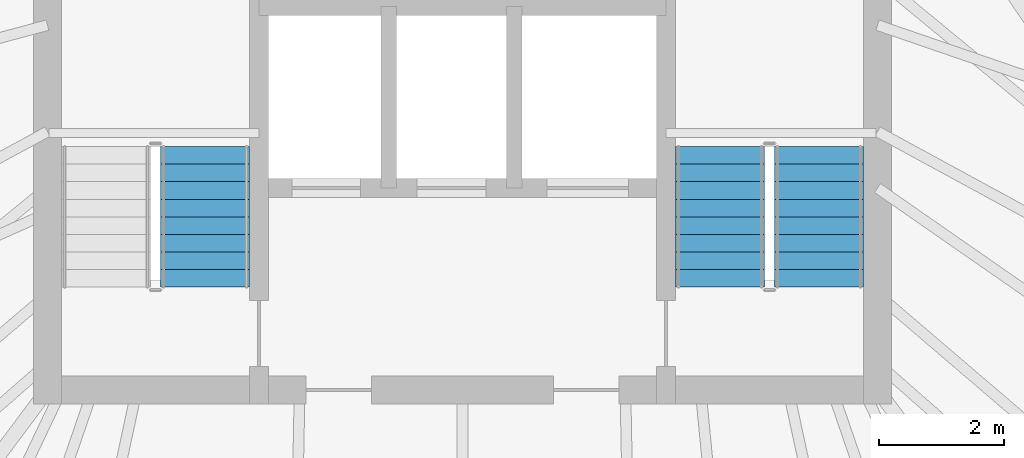
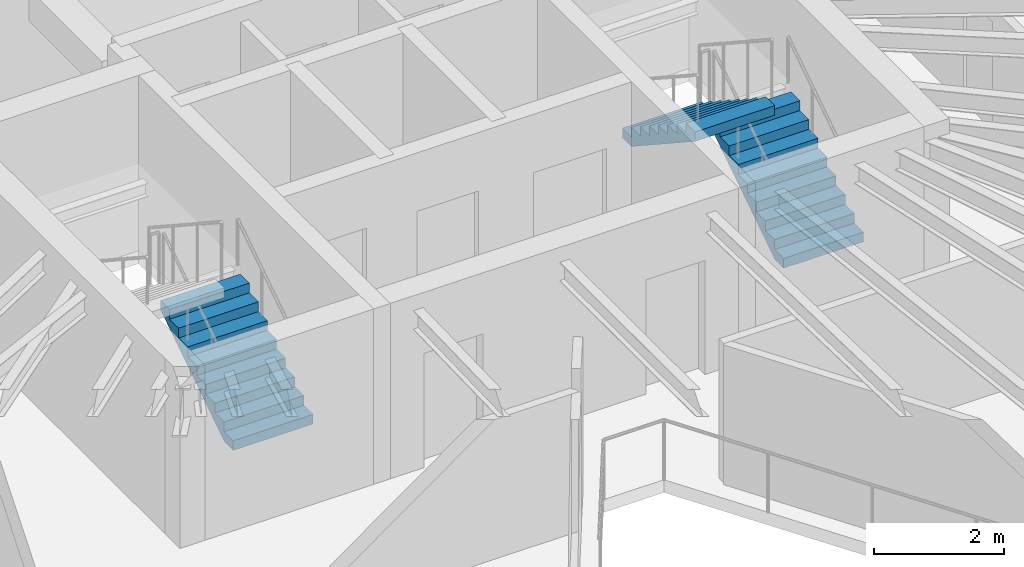
# One storey, part 30 of 33: 3 stair flights, 2 elements without a shape of their own.
"""IFC4 building model written with IfcOpenShell, lengths in metres."""

import ifcopenshell
import ifcopenshell.guid

model = None  # the IFC model being written
_history = None  # IfcOwnerHistory: only IFC2X3 demands one
_inside = {}  # id of a spatial element -> (the spatial element, [elements in it])
_under = {}  # id of a project, library or spatial element -> (it, [spatial elements below it])
_declared = {}  # id of a project -> (the project, [libraries it declares])
_typed = {}  # id of a type object -> (the type object, [elements of that type])
_made_of = {}  # id of a material, layer set ... -> (it, [elements and type objects made of it])


def new_model(schema):
    """Start an empty IFC model of exactly this schema.

    Asked for "IFC4X3", IfcOpenShell would pick the latest addendum, in which some entities
    have other attributes; the version numbers below select the first issue.
    IFC2X3 requires an IfcOwnerHistory on every rooted entity: one is made here for all.
    """
    global model, _history
    if schema == "IFC4X3":
        model = ifcopenshell.file(schema_version=(4, 3, 0, 0))
    else:
        model = ifcopenshell.file(schema=schema)
    _inside.clear()
    _under.clear()
    _declared.clear()
    _typed.clear()
    _made_of.clear()
    _history = None
    if model.schema == "IFC2X3":
        org = make("IfcOrganization", Name="unknown")
        user = make(
            "IfcPersonAndOrganization",
            ThePerson=make("IfcPerson", FamilyName="unknown"),
            TheOrganization=org,
        )
        app = make(
            "IfcApplication",
            ApplicationDeveloper=org,
            Version="unknown",
            ApplicationFullName="unknown",
            ApplicationIdentifier="unknown",
        )
        _history = make(
            "IfcOwnerHistory",
            OwningUser=user,
            OwningApplication=app,
            ChangeAction="ADDED",
            CreationDate=0,
        )
    return model


def make(cls, **values):
    """One entity of the class cls with the attributes given. An attribute that is None is left unset."""
    return model.create_entity(
        cls, **{name: value for name, value in values.items() if value is not None}
    )


def rooted(cls, **values):
    """An entity with a GlobalId (a new one), such as an element, a storey or a relation."""
    return make(cls, GlobalId=ifcopenshell.guid.new(), OwnerHistory=_history, **values)


def si_unit(unit_type, name, prefix=None):
    """IfcSIUnit, for example si_unit("LENGTHUNIT", "METRE", prefix="MILLI")."""
    return make("IfcSIUnit", UnitType=unit_type, Prefix=prefix, Name=name)


def assignment(units):
    """IfcUnitAssignment: the units of a project."""
    return None if units is None else make("IfcUnitAssignment", Units=units)


def point(xyz):
    """IfcCartesianPoint."""
    return None if xyz is None else make("IfcCartesianPoint", Coordinates=xyz)


def direction(xyz):
    """IfcDirection."""
    return None if xyz is None else make("IfcDirection", DirectionRatios=xyz)


def frame(location, z_axis=None, x_axis=None):
    """IfcAxis2Placement3D, a coordinate frame: its origin and axes. An axis left out is left unset."""
    return make(
        "IfcAxis2Placement3D",
        Location=point(location),
        Axis=direction(z_axis),
        RefDirection=direction(x_axis),
    )


def origin():
    """The frame at (0, 0, 0) with its axes left unset."""
    return frame((0.0, 0.0, 0.0))


def place(relative_to, where):
    """IfcLocalPlacement: puts the frame where relative to a parent placement (None: the world)."""
    return make(
        "IfcLocalPlacement", PlacementRelTo=relative_to, RelativePlacement=where
    )


def context(
    kind, dimensions, precision=None, world=None, true_north=None, identifier=None
):
    """IfcGeometricRepresentationContext, for example the 3D "Model" context."""
    return make(
        "IfcGeometricRepresentationContext",
        ContextIdentifier=identifier,
        ContextType=kind,
        CoordinateSpaceDimension=dimensions,
        Precision=precision,
        WorldCoordinateSystem=world,
        TrueNorth=true_north,
    )


def subcontext(parent, identifier, kind, view, scale=None):
    """IfcGeometricRepresentationSubContext, for example "Body" below "Model"."""
    return make(
        "IfcGeometricRepresentationSubContext",
        ContextIdentifier=identifier,
        ContextType=kind,
        ParentContext=parent,
        TargetScale=scale,
        TargetView=view,
    )


def project(units=None, contexts=None):
    """IfcProject with its units and contexts."""
    return rooted(
        "IfcProject",
        Name="project",
        RepresentationContexts=contexts,
        UnitsInContext=assignment(units),
    )


def spatial(cls, under=None, at=None, **own):
    """A site, building, storey or space (cls), placed at a placement, below another one or the project."""
    s = rooted(cls, ObjectPlacement=at, **own)
    if under is not None:
        _under.setdefault(under.id(), (under, []))[1].append(s)
    return s


def polyline(points):
    """IfcPolyline through the points."""
    return make("IfcPolyline", Points=[point(p) for p in points])


def outline(outer, holes=None, kind="AREA"):
    """IfcArbitraryClosedProfileDef: a profile drawn as a closed curve; with holes, ...WithVoids."""
    if holes is None:
        return make("IfcArbitraryClosedProfileDef", ProfileType=kind, OuterCurve=outer)
    return make(
        "IfcArbitraryProfileDefWithVoids",
        ProfileType=kind,
        OuterCurve=outer,
        InnerCurves=holes,
    )


def extrude(swept, where, along, depth):
    """IfcExtrudedAreaSolid: the profile swept, set in the frame where, extruded along a direction by depth."""
    return make(
        "IfcExtrudedAreaSolid",
        SweptArea=swept,
        Position=where,
        ExtrudedDirection=direction(along),
        Depth=depth,
    )


def shape(context_of_items, identifier, shape_type, items):
    """IfcShapeRepresentation: the items that make up one representation, for example the "Body"."""
    return make(
        "IfcShapeRepresentation",
        ContextOfItems=context_of_items,
        RepresentationIdentifier=identifier,
        RepresentationType=shape_type,
        Items=items,
    )


def material(Name=None, Category=None):
    """IfcMaterial."""
    return make("IfcMaterial", Name=Name, Category=Category)


def made_of(thing, what):
    """Note that an element or type object is made of a material, layer set ...; save() writes the relation."""
    if what is not None:
        _made_of.setdefault(what.id(), (what, []))[1].append(thing)
    return thing


def type_object(cls, material=None, **own):
    """A type object (cls), such as IfcWallType, which elements share."""
    return made_of(rooted(cls, **own), material)


def element(
    cls,
    number,
    at=None,
    inside=None,
    cuts=None,
    type_object=None,
    material=None,
    context=None,
    identifier="Body",
    shape_type=None,
    held_by="IfcProductDefinitionShape",
    body=None,
    shapes=None,
    **own,
):
    """One element of the class cls, such as IfcWall. Its Tag is "e" and its number.

    at: its placement. inside: the storey or other place that contains it. cuts: it is an
    opening in that element (IfcRelVoidsElement). A single representation is given by context,
    identifier, shape_type and body (its items); several are given by shapes. held_by: the class
    of the entity that holds the representations. save() writes the other relations.
    """
    e = rooted(cls, Tag="e%d" % number, ObjectPlacement=at, **own)
    if body is not None:
        shapes = [shape(context, identifier, shape_type, body)]
    if shapes is not None:
        e.Representation = make(held_by, Representations=shapes)
    if inside is not None:
        _inside.setdefault(inside.id(), (inside, []))[1].append(e)
    if cuts is not None:
        rooted(
            "IfcRelVoidsElement", RelatingBuildingElement=cuts, RelatedOpeningElement=e
        )
    if type_object is not None:
        _typed.setdefault(type_object.id(), (type_object, []))[1].append(e)
    return made_of(e, material)


def aggregate(whole, parts):
    """IfcRelAggregates: a whole, such as a stair, and the parts it consists of."""
    return rooted("IfcRelAggregates", RelatingObject=whole, RelatedObjects=parts)


def save(model, path):
    """Write the relations noted so far, then the file.

    IfcRelAggregates (storeys below a building ...), IfcRelContainedInSpatialStructure (elements
    in a storey), IfcRelDefinesByType, IfcRelAssociatesMaterial and IfcRelDeclares: one each for
    every whole, place, type object, material and project.
    """
    for whole, parts in _under.values():
        aggregate(whole, parts)
    for where, things in _inside.values():
        rooted(
            "IfcRelContainedInSpatialStructure",
            RelatedElements=things,
            RelatingStructure=where,
        )
    for kind, things in _typed.values():
        rooted("IfcRelDefinesByType", RelatedObjects=things, RelatingType=kind)
    for what, things in _made_of.values():
        rooted("IfcRelAssociatesMaterial", RelatedObjects=things, RelatingMaterial=what)
    for by, libraries in _declared.values():
        rooted("IfcRelDeclares", RelatingContext=by, RelatedDefinitions=libraries)
    model.write(path)


model = new_model("IFC4")

# Units and contexts
model_context = context("Model", 3, precision=1e-05, world=origin(), true_north=direction((0.0, 1.0)))
body_context = subcontext(model_context, "Body", "Model", "MODEL_VIEW")
ifc_project = project(units=[si_unit("LENGTHUNIT", "METRE"), si_unit("AREAUNIT", "SQUARE_METRE"), si_unit("VOLUMEUNIT", "CUBIC_METRE"), si_unit("PLANEANGLEUNIT", "RADIAN"), si_unit("MASSUNIT", "GRAM", prefix="KILO")], contexts=[model_context])

# Site, building, storey
site_placement = place(None, origin())
site = spatial("IfcSite", under=ifc_project, at=site_placement, CompositionType="ELEMENT")
building_placement = place(site_placement, origin())
building = spatial("IfcBuilding", under=site, at=building_placement, Name="Orvanel Arch Residences", CompositionType="ELEMENT")
storey_placement = place(building_placement, frame((0.0, 0.0, 93.949951171875)))
storey = spatial("IfcBuildingStorey", under=building, at=storey_placement, Name="L26", CompositionType="ELEMENT", Elevation=93.949951171875)

# Stair, stair flight
ifc_material = material(Name="Precast concrete N50 (50 MPa)", Category="concrete")
stair_type = type_object("IfcStairType", Name="STR-DOG-184", PredefinedType="USERDEFINED", material=ifc_material)
stair_1_placement = place(storey_placement, origin())
stair_1 = element("IfcStair", 1, at=stair_1_placement, inside=storey, type_object=stair_type, Name="L26 Fire-Isolated Core Exit Stair 1", ObjectType="TWO_RETURN_STAIR", PredefinedType="USERDEFINED")
stair_flight_type_1 = type_object("IfcStairFlightType", Name="SFL-C1-184", PredefinedType="STRAIGHT", material=ifc_material)
stair_flight_1_placement = place(storey_placement, frame((28.889892578125, 28.320068359375, 0.0), z_axis=(0.0, 0.0, 1.0), x_axis=(0.0, 1.0, 0.0)))
stair_flight_1 = element("IfcStairFlight", 2, at=stair_flight_1_placement, type_object=stair_flight_type_1, Name="ST-1 flight 1", NumberOfRisers=9, NumberOfTreads=8, PredefinedType="STRAIGHT", RiserHeight=0.183333333, TreadLength=0.28, context=body_context, shape_type="SweptSolid", body=[
    extrude(outline(polyline([(0.0, 0.0), (0.0, 0.183349609375), (0.280029296875, 0.183349609375), (0.280029296875, 0.36669921875), (0.56005859375, 0.36669921875), (0.56005859375, 0.550048828125), (0.840087890625, 0.550048828125), (0.840087890625, 0.7333984375), (1.1201171875, 0.7333984375), (1.1201171875, 0.916748046875), (1.39990234375, 0.916748046875), (1.39990234375, 1.10009765625), (1.679931640625, 1.10009765625), (1.679931640625, 1.283447265625), (1.9599609375, 1.283447265625), (1.9599609375, 1.466552734375), (2.239990234375, 1.466552734375), (2.239990234375, 1.64990234375), (2.239990234375, 1.28759765625), (0.273681640625, 0.0), (0.0, 0.0)])), frame((0.0, 0.7099609375, 0.0), z_axis=(0.0, -1.0, 0.0), x_axis=(1.0, 0.0, 0.0)), (0.0, 0.0, 1.0), 1.419921875),
])
aggregate(stair_1, [stair_flight_1])

# Stair, stair flights
stair_2_placement = place(storey_placement, origin())
stair_2 = element("IfcStair", 3, at=stair_2_placement, inside=storey, type_object=stair_type, Name="L26 Fire-Isolated Core Exit Stair 2", ObjectType="TWO_RETURN_STAIR", PredefinedType="USERDEFINED")
stair_flight_type_2 = type_object("IfcStairFlightType", Name="SFL-C2-184", PredefinedType="STRAIGHT", material=ifc_material)
stair_flight_2_placement = place(storey_placement, frame((38.68994140625, 28.320068359375, 0.0), z_axis=(0.0, 0.0, 1.0), x_axis=(0.0, 1.0, 0.0)))
stair_flight_2 = element("IfcStairFlight", 4, at=stair_flight_2_placement, type_object=stair_flight_type_2, Name="ST-2 flight 1", NumberOfRisers=9, NumberOfTreads=8, PredefinedType="STRAIGHT", RiserHeight=0.183333333, TreadLength=0.28, context=body_context, shape_type="SweptSolid", body=[
    extrude(outline(polyline([(0.0, 0.0), (0.0, 0.183349609375), (0.280029296875, 0.183349609375), (0.280029296875, 0.36669921875), (0.56005859375, 0.36669921875), (0.56005859375, 0.550048828125), (0.840087890625, 0.550048828125), (0.840087890625, 0.7333984375), (1.1201171875, 0.7333984375), (1.1201171875, 0.916748046875), (1.39990234375, 0.916748046875), (1.39990234375, 1.10009765625), (1.679931640625, 1.10009765625), (1.679931640625, 1.283447265625), (1.9599609375, 1.283447265625), (1.9599609375, 1.466552734375), (2.239990234375, 1.466552734375), (2.239990234375, 1.64990234375), (2.239990234375, 1.28759765625), (0.273681640625, 0.0), (0.0, 0.0)])), frame((0.0, 0.7099609375, 0.0), z_axis=(0.0, -1.0, 0.0), x_axis=(1.0, 0.0, 0.0)), (0.0, 0.0, 1.0), 1.419921875),
])
stair_flight_3_placement = place(storey_placement, frame((37.110107421875, 30.56005859375, 1.650146484375), z_axis=(0.0, 0.0, 1.0), x_axis=(0.0, -1.0, 0.0)))
stair_flight_3 = element("IfcStairFlight", 5, at=stair_flight_3_placement, type_object=stair_flight_type_2, Name="ST-2 flight 2", NumberOfRisers=9, NumberOfTreads=8, PredefinedType="STRAIGHT", RiserHeight=0.183333333, TreadLength=0.28, context=body_context, shape_type="SweptSolid", body=[
    extrude(outline(polyline([(0.0, 0.0), (0.0, 0.183349609375), (0.280029296875, 0.183349609375), (0.280029296875, 0.36669921875), (0.56005859375, 0.36669921875), (0.56005859375, 0.550048828125), (0.840087890625, 0.550048828125), (0.840087890625, 0.7333984375), (1.1201171875, 0.7333984375), (1.1201171875, 0.916748046875), (1.39990234375, 0.916748046875), (1.39990234375, 1.10009765625), (1.679931640625, 1.10009765625), (1.679931640625, 1.283447265625), (1.9599609375, 1.283447265625), (1.9599609375, 1.466552734375), (2.239990234375, 1.466552734375), (2.239990234375, 1.64990234375), (2.239990234375, 1.28759765625), (0.273681640625, 0.0), (0.0, 0.0)])), frame((0.0, 0.7099609375, 0.0), z_axis=(0.0, -1.0, 0.0), x_axis=(1.0, 0.0, 0.0)), (0.0, 0.0, 1.0), 1.419921875),
])
aggregate(stair_2, [stair_flight_2, stair_flight_3])

save(model, "model.ifc")
